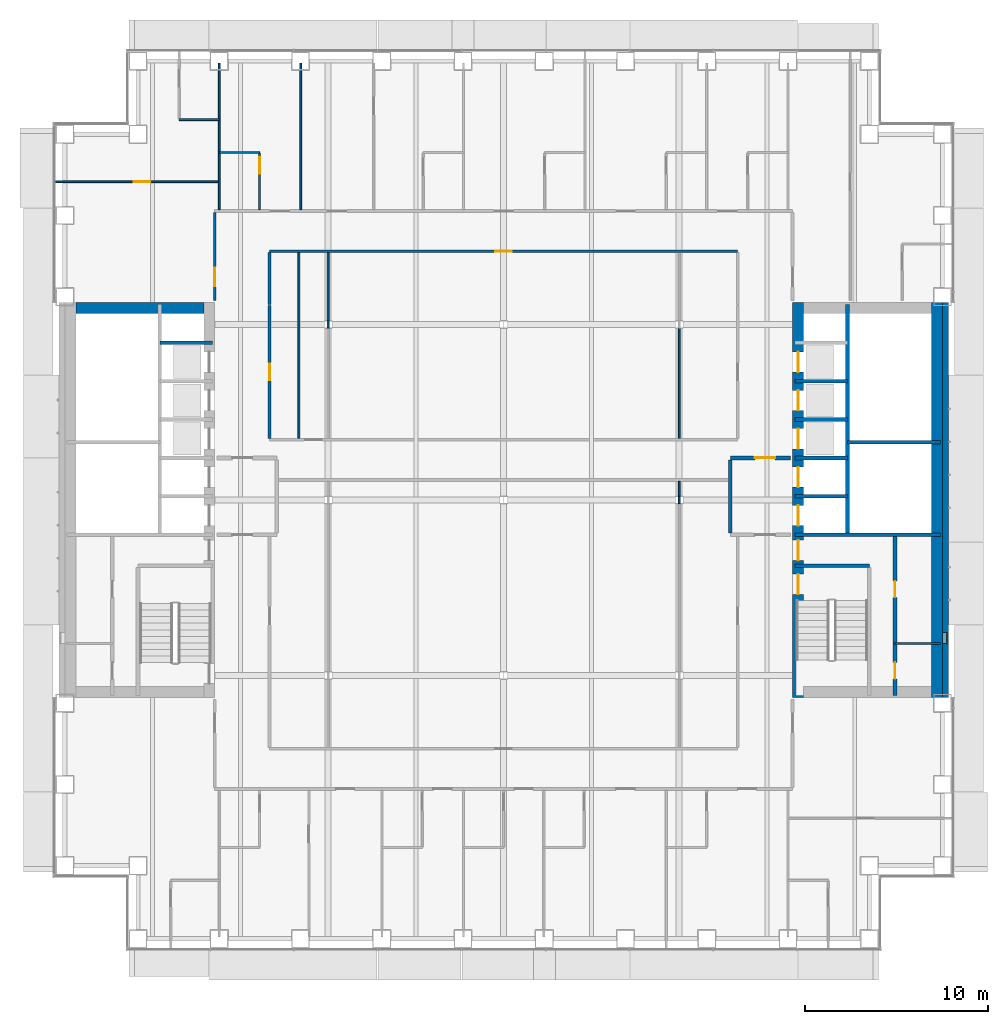
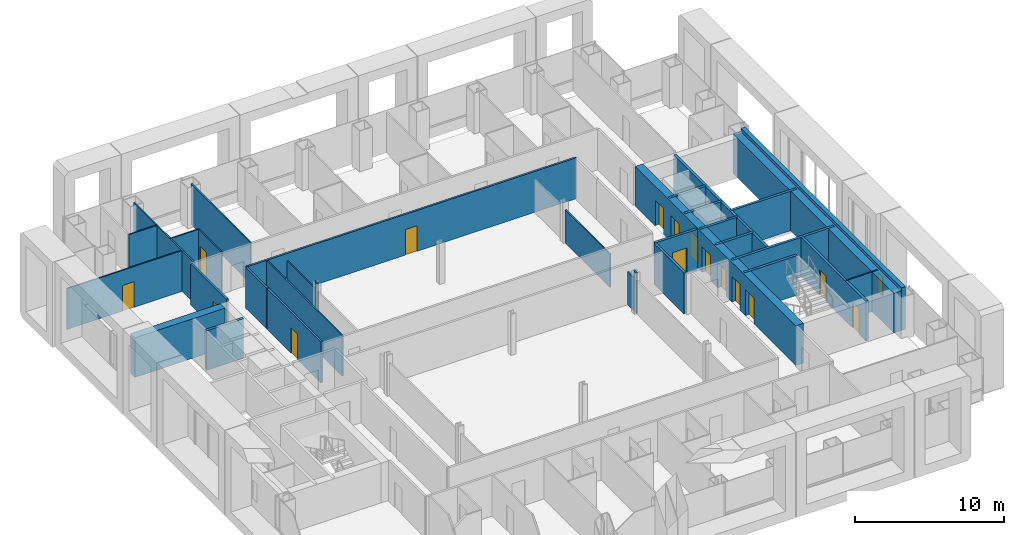
# One storey, part 17 of 25: 33 walls, 15 doors, 1 window, 16 openings.
"""IFC4 building model written with IfcOpenShell, lengths in metres."""

from ifc_helpers import new_model, si_unit, direction, frame, frame_2d, origin, place, context, subcontext, project, spatial, rectangle, extrude, material, layer, layer_set, type_object, element, fill, save


model = new_model("IFC4")

# Units and contexts
model_context = context("Model", 3, precision=1e-05, world=origin(), true_north=direction((0.0, 1.0)))
body_context = subcontext(model_context, "Body", "Model", "MODEL_VIEW")
ifc_project = project(units=[si_unit("LENGTHUNIT", "METRE"), si_unit("AREAUNIT", "SQUARE_METRE"), si_unit("VOLUMEUNIT", "CUBIC_METRE"), si_unit("PLANEANGLEUNIT", "RADIAN"), si_unit("MASSUNIT", "GRAM", prefix="KILO")], contexts=[model_context])

# Site, building, storey
site_placement = place(None, origin())
site = spatial("IfcSite", under=ifc_project, at=site_placement, CompositionType="ELEMENT")
building_placement = place(site_placement, origin())
building = spatial("IfcBuilding", under=site, at=building_placement, Name="Cobrizo Arcos Hotel Tower", CompositionType="ELEMENT")
storey_placement = place(building_placement, frame((0.0, 0.0, 46.0)))
storey = spatial("IfcBuildingStorey", under=building, at=storey_placement, Name="L09", CompositionType="ELEMENT", Elevation=46.0)

# Wall, opening, door
ifc_material_1 = material(Name="Gypsum board partition")
ifc_layer_1 = layer(ifc_material_1, 0.14990234375)
ifc_layer_set_1 = layer_set([ifc_layer_1], Name="Corridor wall EI 60 150")
wall_type_1 = type_object("IfcWallType", Name="Corridor wall EI 60 150", PredefinedType="PARTITIONING", material=ifc_layer_set_1)
wall_1_placement = place(storey_placement, frame((-12.800048828125, 13.60009765625, 0.0), z_axis=(0.0, 0.0, 1.0), x_axis=(1.0, 0.0, 0.0)))
wall_1 = element("IfcWall", 1, at=wall_1_placement, inside=storey, type_object=wall_type_1, Name="Partition 035", PredefinedType="PARTITIONING", context=body_context, shape_type="SweptSolid", body=[
    extrude(rectangle(XDim=25.60009765625, YDim=0.14990234375, at=frame_2d((12.800048828125, 0.0))), origin(), (0.0, 0.0, 1.0), 3.35009765625),
])
opening_1_placement = place(wall_1_placement, frame((12.35009765625, 0.0, 0.0)))
opening_1 = element("IfcOpeningElement", 2, at=opening_1_placement, cuts=wall_1, Name="Opening RD-12", PredefinedType="OPENING", context=body_context, shape_type="SweptSolid", body=[
    extrude(rectangle(XDim=0.89990234375, YDim=2.10009765625, at=frame_2d((0.449951171875, 1.050048828125))), frame((0.0, 0.0869140625, 0.0), z_axis=(0.0, -1.0, 0.0), x_axis=(1.0, 0.0, 0.0)), (0.0, 0.0, 1.0), 0.173828125),
])
ifc_material_2 = material(Name="Timber door leaf", Category="wood")
door_type_1 = type_object("IfcDoorType", Name="Room door FD30 900x2100", OperationType="SINGLE_SWING_LEFT", PredefinedType="DOOR", material=ifc_material_2)
door_1_placement = place(opening_1_placement, origin())
door_1 = element("IfcDoor", 3, at=door_1_placement, inside=storey, type_object=door_type_1, Name="Door RD-12", OperationType="SINGLE_SWING_LEFT", OverallHeight=2.10009765625, OverallWidth=0.89990234375, PredefinedType="DOOR", context=body_context, shape_type="SweptSolid", body=[
    extrude(rectangle(XDim=0.89990234375, YDim=2.10009765625, at=frame_2d((0.449951171875, 1.050048828125))), frame((0.0, 0.02490234375, 0.0), z_axis=(0.0, -1.0, 0.0), x_axis=(1.0, 0.0, 0.0)), (0.0, 0.0, 1.0), 0.050048828125),
])
fill(opening_1, door_1)

wall_2_placement = place(storey_placement, frame((-15.800048828125, 10.919921875, 0.0), z_axis=(0.0, 0.0, 1.0), x_axis=(0.0, 1.0, 0.0)))
wall_2 = element("IfcWall", 4, at=wall_2_placement, inside=storey, type_object=wall_type_1, Name="Partition 051", PredefinedType="PARTITIONING", context=body_context, shape_type="SweptSolid", body=[
    extrude(rectangle(XDim=4.80517578125, YDim=0.14990234375, at=frame_2d((2.402587890625, 0.0))), origin(), (0.0, 0.0, 1.0), 3.35009765625),
])
opening_2_placement = place(wall_2_placement, frame((0.780029296875, 0.0, 0.0)))
opening_2 = element("IfcOpeningElement", 5, at=opening_2_placement, cuts=wall_2, Name="Opening GD-12", PredefinedType="OPENING", context=body_context, shape_type="SweptSolid", body=[
    extrude(rectangle(XDim=1.0, YDim=2.10009765625, at=frame_2d((0.5, 1.050048828125))), frame((0.0, 0.0869140625, 0.0), z_axis=(0.0, -1.0, 0.0), x_axis=(1.0, 0.0, 0.0)), (0.0, 0.0, 1.0), 0.173828125),
])
door_type_2 = type_object("IfcDoorType", Name="Guest room door FD30S 1000x2100", OperationType="SINGLE_SWING_LEFT", PredefinedType="DOOR", material=ifc_material_2)
door_2_placement = place(opening_2_placement, origin())
door_2 = element("IfcDoor", 6, at=door_2_placement, inside=storey, type_object=door_type_2, Name="Door GD-12", OperationType="SINGLE_SWING_RIGHT", OverallHeight=2.10009765625, OverallWidth=1.0, PredefinedType="DOOR", context=body_context, shape_type="SweptSolid", body=[
    extrude(rectangle(XDim=1.0, YDim=2.10009765625, at=frame_2d((0.5, 1.050048828125))), frame((0.0, 0.02490234375, 0.0), z_axis=(0.0, -1.0, 0.0), x_axis=(1.0, 0.0, 0.0)), (0.0, 0.0, 1.0), 0.050048828125),
])
fill(opening_2, door_2)

wall_3_placement = place(storey_placement, frame((-12.800048828125, 3.375, 0.0), z_axis=(0.0, 0.0, 1.0), x_axis=(0.0, 1.0, 0.0)))
wall_3 = element("IfcWall", 7, at=wall_3_placement, inside=storey, type_object=wall_type_1, Name="Partition 057", PredefinedType="PARTITIONING", context=body_context, shape_type="SweptSolid", body=[
    extrude(rectangle(XDim=7.27490234375, YDim=0.14990234375, at=frame_2d((3.637451171875, 0.0))), origin(), (0.0, 0.0, 1.0), 3.35009765625),
])
opening_3_placement = place(wall_3_placement, frame((3.175048828125, 0.0, 0.0)))
opening_3 = element("IfcOpeningElement", 8, at=opening_3_placement, cuts=wall_3, Name="Opening ED-16", PredefinedType="OPENING", context=body_context, shape_type="SweptSolid", body=[
    extrude(rectangle(XDim=0.89990234375, YDim=2.10009765625, at=frame_2d((0.449951171875, 1.050048828125))), frame((0.0, 0.0869140625, 0.0), z_axis=(0.0, -1.0, 0.0), x_axis=(1.0, 0.0, 0.0)), (0.0, 0.0, 1.0), 0.173828125),
])
door_type_3 = type_object("IfcDoorType", Name="En-suite door 900x2100", OperationType="SINGLE_SWING_LEFT", PredefinedType="DOOR", material=ifc_material_2)
door_3_placement = place(opening_3_placement, origin())
door_3 = element("IfcDoor", 9, at=door_3_placement, inside=storey, type_object=door_type_3, Name="Door ED-16", OperationType="SINGLE_SWING_RIGHT", OverallHeight=2.10009765625, OverallWidth=0.89990234375, PredefinedType="DOOR", context=body_context, shape_type="SweptSolid", body=[
    extrude(rectangle(XDim=0.89990234375, YDim=2.10009765625, at=frame_2d((0.449951171875, 1.050048828125))), frame((0.0, 0.02490234375, 0.0), z_axis=(0.0, -1.0, 0.0), x_axis=(1.0, 0.0, 0.0)), (0.0, 0.0, 1.0), 0.050048828125),
])
fill(opening_3, door_3)

# Wall
wall_4_placement = place(storey_placement, frame((-12.800048828125, 10.699951171875, 0.0), z_axis=(0.0, 0.0, 1.0), x_axis=(0.0, 1.0, 0.0)))
element("IfcWall", 10, at=wall_4_placement, inside=storey, type_object=wall_type_1, Name="Partition 058", PredefinedType="PARTITIONING", context=body_context, shape_type="SweptSolid", body=[
    extrude(rectangle(XDim=2.824951171875, YDim=0.14990234375, at=frame_2d((1.41259765625, 0.0))), origin(), (0.0, 0.0, 1.0), 3.35009765625),
])

# Wall, opening, window
ifc_material_3 = material(Name="Aluminium composite panel pale metal", Category="aluminium")
ifc_layer_2 = layer(ifc_material_3, 0.324951171875)
ifc_layer_set_2 = layer_set([ifc_layer_2], Name="EW-1 insulated panel wall 325")
wall_type_2 = type_object("IfcWallType", Name="EW-1 insulated panel wall 325", PredefinedType="SOLIDWALL", material=ifc_layer_set_2)
wall_5_placement = place(storey_placement, frame((24.16259765625, -10.800048828125, 0.0), z_axis=(0.0, 0.0, 1.0), x_axis=(0.0, 1.0, 0.0)))
wall_5 = element("IfcWall", 11, at=wall_5_placement, inside=storey, type_object=wall_type_2, Name="Core face wall L09 E", PredefinedType="SOLIDWALL", context=body_context, shape_type="SweptSolid", body=[
    extrude(rectangle(XDim=21.60009765625, YDim=0.324951171875, at=frame_2d((10.800048828125, 0.0))), origin(), (0.0, 0.0, 1.0), 3.5),
])
opening_4_placement = place(wall_5_placement, frame((2.949951171875, 0.0, 1.0)))
opening_4 = element("IfcOpeningElement", 12, at=opening_4_placement, cuts=wall_5, Name="Opening W-13", PredefinedType="OPENING", context=body_context, shape_type="SweptSolid", body=[
    extrude(rectangle(XDim=0.60009765625, YDim=1.5, at=frame_2d((0.300048828125, 0.75))), frame((0.0, 0.174560546875, 0.0), z_axis=(0.0, -1.0, 0.0), x_axis=(1.0, 0.0, 0.0)), (0.0, 0.0, 1.0), 0.348876953125),
])
ifc_material_4 = material(Name="Aluminium 6063-T6 and clear laminated glass", Category="aluminium")
window_type = type_object("IfcWindowType", Name="W-C1 core stair slot window 600x1500", PartitioningType="SINGLE_PANEL", PredefinedType="WINDOW", material=ifc_material_4)
window_placement = place(opening_4_placement, origin())
window = element("IfcWindow", 13, at=window_placement, inside=storey, type_object=window_type, Name="Core face wall L09 E window W-13", OverallHeight=1.5, OverallWidth=0.60009765625, PartitioningType="SINGLE_PANEL", PredefinedType="WINDOW", context=body_context, shape_type="SweptSolid", body=[
    extrude(rectangle(XDim=0.60009765625, YDim=1.5, at=frame_2d((0.300048828125, 0.75))), frame((0.0, -0.072509765625, 0.0), z_axis=(0.0, -1.0, 0.0), x_axis=(1.0, 0.0, 0.0)), (0.0, 0.0, 1.0), 0.06005859375),
])
fill(opening_4, window)

# Wall
ifc_layer_3 = layer(ifc_material_1, 0.10009765625)
ifc_layer_set_3 = layer_set([ifc_layer_3], Name="Partition EI 30 100")
wall_type_3 = type_object("IfcWallType", Name="Partition EI 30 100", PredefinedType="PARTITIONING", material=ifc_layer_set_3)
wall_6_placement = place(storey_placement, frame((21.39990234375, -7.85009765625, 0.0), z_axis=(0.0, 0.0, 1.0), x_axis=(1.0, 0.0, 0.0)))
element("IfcWall", 14, at=wall_6_placement, inside=storey, type_object=wall_type_3, Name="Partition 012", PredefinedType="PARTITIONING", context=body_context, shape_type="SweptSolid", body=[
    extrude(rectangle(XDim=2.47998046875, YDim=0.10009765625, at=frame_2d((1.239990234375, 0.0))), origin(), (0.0, 0.0, 1.0), 3.25),
])

# Wall, opening, door
wall_7_placement = place(storey_placement, frame((-24.530029296875, 17.39990234375, 0.0), z_axis=(0.0, 0.0, 1.0), x_axis=(1.0, 0.0, 0.0)))
wall_7 = element("IfcWall", 15, at=wall_7_placement, inside=storey, type_object=wall_type_3, Name="Partition 038", PredefinedType="PARTITIONING", context=body_context, shape_type="SweptSolid", body=[
    extrude(rectangle(XDim=8.97998046875, YDim=0.10009765625, at=frame_2d((4.489990234375, 0.0))), origin(), (0.0, 0.0, 1.0), 3.35009765625),
])
opening_5_placement = place(wall_7_placement, frame((4.302001953125, 0.0, 0.0)))
opening_5 = element("IfcOpeningElement", 16, at=opening_5_placement, cuts=wall_7, Name="Opening RD-06", PredefinedType="OPENING", context=body_context, shape_type="SweptSolid", body=[
    extrude(rectangle(XDim=0.89990234375, YDim=2.10009765625, at=frame_2d((0.449951171875, 1.050048828125))), frame((0.0, 0.06201171875, 0.0), z_axis=(0.0, -1.0, 0.0), x_axis=(1.0, 0.0, 0.0)), (0.0, 0.0, 1.0), 0.1240234375),
])
door_4_placement = place(opening_5_placement, origin())
door_4 = element("IfcDoor", 17, at=door_4_placement, inside=storey, type_object=door_type_1, Name="Door RD-06", OperationType="SINGLE_SWING_LEFT", OverallHeight=2.10009765625, OverallWidth=0.89990234375, PredefinedType="DOOR", context=body_context, shape_type="SweptSolid", body=[
    extrude(rectangle(XDim=0.89990234375, YDim=2.10009765625, at=frame_2d((0.449951171875, 1.050048828125))), frame((0.0, 0.02490234375, 0.0), z_axis=(0.0, -1.0, 0.0), x_axis=(1.0, 0.0, 0.0)), (0.0, 0.0, 1.0), 0.050048828125),
])
fill(opening_5, door_4)

# Walls
for number, where, z_axis, x_axis, name in (
    (18, (-15.550048828125, 19.0, 0.0), (0.0, 0.0, 1.0), (1.0, 0.0, 0.0), "Partition 039"),
    (19, (-17.75, 20.800048828125, 0.0), (0.0, 0.0, 1.0), (1.0, 0.0, 0.0), "Partition 044"),
):
    element("IfcWall", number, at=place(storey_placement, frame(where, z_axis=z_axis, x_axis=x_axis)), inside=storey, type_object=wall_type_3, Name=name, PredefinedType="PARTITIONING", context=body_context, shape_type="SweptSolid", body=[
        extrude(rectangle(XDim=2.199951171875, YDim=0.10009765625, at=frame_2d((1.10009765625, 0.0))), origin(), (0.0, 0.0, 1.0), 3.35009765625),
    ])
wall_8_placement = place(storey_placement, frame((-15.550048828125, 15.875, 0.0), z_axis=(0.0, 0.0, 1.0), x_axis=(0.0, 1.0, 0.0)))
element("IfcWall", 20, at=wall_8_placement, inside=storey, type_object=wall_type_3, Name="Partition 053", PredefinedType="PARTITIONING", context=body_context, shape_type="SweptSolid", body=[
    extrude(rectangle(XDim=8.0048828125, YDim=0.10009765625, at=frame_2d((4.00244140625, 0.0))), origin(), (0.0, 0.0, 1.0), 3.35009765625),
])

# Wall, opening, door
wall_9_placement = place(storey_placement, frame((-13.35009765625, 15.875, 0.0), z_axis=(0.0, 0.0, 1.0), x_axis=(0.0, 1.0, 0.0)))
wall_9 = element("IfcWall", 21, at=wall_9_placement, inside=storey, type_object=wall_type_3, Name="Partition 055", PredefinedType="PARTITIONING", context=body_context, shape_type="SweptSolid", body=[
    extrude(rectangle(XDim=3.074951171875, YDim=0.10009765625, at=frame_2d((1.53759765625, 0.0))), origin(), (0.0, 0.0, 1.0), 3.35009765625),
])
opening_6_placement = place(wall_9_placement, frame((1.970947265625, 0.0, 0.0)))
opening_6 = element("IfcOpeningElement", 22, at=opening_6_placement, cuts=wall_9, Name="Opening ED-02", PredefinedType="OPENING", context=body_context, shape_type="SweptSolid", body=[
    extrude(rectangle(XDim=0.89990234375, YDim=2.10009765625, at=frame_2d((0.449951171875, 1.050048828125))), frame((0.0, 0.06201171875, 0.0), z_axis=(0.0, -1.0, 0.0), x_axis=(1.0, 0.0, 0.0)), (0.0, 0.0, 1.0), 0.1240234375),
])
door_5_placement = place(opening_6_placement, origin())
door_5 = element("IfcDoor", 23, at=door_5_placement, inside=storey, type_object=door_type_3, Name="Door ED-02", OperationType="SINGLE_SWING_LEFT", OverallHeight=2.10009765625, OverallWidth=0.89990234375, PredefinedType="DOOR", context=body_context, shape_type="SweptSolid", body=[
    extrude(rectangle(XDim=0.89990234375, YDim=2.10009765625, at=frame_2d((0.449951171875, 1.050048828125))), frame((0.0, 0.02490234375, 0.0), z_axis=(0.0, -1.0, 0.0), x_axis=(1.0, 0.0, 0.0)), (0.0, 0.0, 1.0), 0.050048828125),
])
fill(opening_6, door_5)

# Walls
wall_10_placement = place(storey_placement, frame((-11.199951171875, 3.375, 0.0), z_axis=(0.0, 0.0, 1.0), x_axis=(0.0, 1.0, 0.0)))
element("IfcWall", 24, at=wall_10_placement, inside=storey, type_object=wall_type_3, Name="Partition 060", PredefinedType="PARTITIONING", context=body_context, shape_type="SweptSolid", body=[
    extrude(rectangle(XDim=10.14990234375, YDim=0.10009765625, at=frame_2d((5.074951171875, 0.0))), origin(), (0.0, 0.0, 1.0), 3.35009765625),
])
wall_11_placement = place(storey_placement, frame((-11.10009765625, 15.875, 0.0), z_axis=(0.0, 0.0, 1.0), x_axis=(0.0, 1.0, 0.0)))
element("IfcWall", 25, at=wall_11_placement, inside=storey, type_object=wall_type_3, Name="Partition 061", PredefinedType="PARTITIONING", context=body_context, shape_type="SweptSolid", body=[
    extrude(rectangle(XDim=8.0048828125, YDim=0.10009765625, at=frame_2d((4.00244140625, 0.0))), origin(), (0.0, 0.0, 1.0), 3.35009765625),
])
wall_12_placement = place(storey_placement, frame((-9.60009765625, 9.39599609375, 0.0), z_axis=(0.0, 0.0, 1.0), x_axis=(0.0, 1.0, 0.0)))
element("IfcWall", 26, at=wall_12_placement, inside=storey, type_object=wall_type_3, Name="Partition 069", PredefinedType="PARTITIONING", context=body_context, shape_type="SweptSolid", body=[
    extrude(rectangle(XDim=0.407958984375, YDim=0.10009765625, at=frame_2d((0.2041015625, 0.0))), origin(), (0.0, 0.0, 1.0), 3.35009765625),
])
wall_13_placement = place(storey_placement, frame((-9.60009765625, 9.803955078125, 0.0), z_axis=(0.0, 0.0, 1.0), x_axis=(0.0, 1.0, 0.0)))
element("IfcWall", 27, at=wall_13_placement, inside=storey, type_object=wall_type_3, Name="Partition 070", PredefinedType="PARTITIONING", context=body_context, shape_type="SweptSolid", body=[
    extrude(rectangle(XDim=3.720947265625, YDim=0.10009765625, at=frame_2d((1.8603515625, 0.0))), origin(), (0.0, 0.0, 1.0), 2.72802734375),
])
wall_14_placement = place(storey_placement, frame((9.60009765625, -0.2041015625, 0.0), z_axis=(0.0, 0.0, 1.0), x_axis=(0.0, 1.0, 0.0)))
element("IfcWall", 28, at=wall_14_placement, inside=storey, type_object=wall_type_3, Name="Partition 087", PredefinedType="PARTITIONING", context=body_context, shape_type="SweptSolid", body=[
    extrude(rectangle(XDim=0.408203125, YDim=0.10009765625, at=frame_2d((0.2041015625, 0.0))), origin(), (0.0, 0.0, 1.0), 3.35009765625),
])
wall_15_placement = place(storey_placement, frame((9.60009765625, 0.2041015625, 0.0), z_axis=(0.0, 0.0, 1.0), x_axis=(0.0, 1.0, 0.0)))
element("IfcWall", 29, at=wall_15_placement, inside=storey, type_object=wall_type_3, Name="Partition 088", PredefinedType="PARTITIONING", context=body_context, shape_type="SweptSolid", body=[
    extrude(rectangle(XDim=0.82080078125, YDim=0.10009765625, at=frame_2d((0.410400390625, 0.0))), origin(), (0.0, 0.0, 1.0), 2.72802734375),
])
wall_16_placement = place(storey_placement, frame((9.60009765625, 3.375, 0.0), z_axis=(0.0, 0.0, 1.0), x_axis=(0.0, 1.0, 0.0)))
element("IfcWall", 30, at=wall_16_placement, inside=storey, type_object=wall_type_3, Name="Partition 089", PredefinedType="PARTITIONING", context=body_context, shape_type="SweptSolid", body=[
    extrude(rectangle(XDim=6.02099609375, YDim=0.10009765625, at=frame_2d((3.010498046875, 0.0))), origin(), (0.0, 0.0, 1.0), 2.72802734375),
])

# Wall, openings, doors
ifc_material_5 = material(Name="Concrete f'c 60 MPa", Category="concrete")
ifc_layer_4 = layer(ifc_material_5, 0.60009765625)
ifc_layer_set_4 = layer_set([ifc_layer_4], Name="RC core wall 600 f'c 60")
wall_type_4 = type_object("IfcWallType", Name="RC core wall 600 f'c 60", PredefinedType="SHEAR", material=ifc_layer_set_4)
wall_17_placement = place(storey_placement, frame((16.10009765625, -10.800048828125, 0.0), z_axis=(0.0, 0.0, 1.0), x_axis=(0.0, 1.0, 0.0)))
wall_17 = element("IfcWall", 31, at=wall_17_placement, inside=storey, type_object=wall_type_4, Name="Core wall CW1, east core, inner face, L09", PredefinedType="SHEAR", context=body_context, shape_type="SweptSolid", body=[
    extrude(rectangle(XDim=21.60009765625, YDim=0.60009765625, at=frame_2d((10.800048828125, 0.0))), origin(), (0.0, 0.0, 1.0), 3.25),
])
opening_7_placement = place(wall_17_placement, frame((9.39990234375, 0.0, 0.0)))
opening_7 = element("IfcOpeningElement", 32, at=opening_7_placement, cuts=wall_17, Name="Opening LD-06", PredefinedType="OPENING", context=body_context, shape_type="SweptSolid", body=[
    extrude(rectangle(XDim=1.10009765625, YDim=2.10009765625, at=frame_2d((0.550048828125, 1.050048828125))), frame((0.0, 0.31201171875, 0.0), z_axis=(0.0, -1.0, 0.0), x_axis=(1.0, 0.0, 0.0)), (0.0, 0.0, 1.0), 0.6240234375),
])
opening_8_placement = place(wall_17_placement, frame((11.5, 0.0, 0.0)))
opening_8 = element("IfcOpeningElement", 33, at=opening_8_placement, cuts=wall_17, Name="Opening LD-07", PredefinedType="OPENING", context=body_context, shape_type="SweptSolid", body=[
    extrude(rectangle(XDim=1.10009765625, YDim=2.10009765625, at=frame_2d((0.550048828125, 1.050048828125))), frame((0.0, 0.31201171875, 0.0), z_axis=(0.0, -1.0, 0.0), x_axis=(1.0, 0.0, 0.0)), (0.0, 0.0, 1.0), 0.6240234375),
])
opening_9_placement = place(wall_17_placement, frame((13.60009765625, 0.0, 0.0)))
opening_9 = element("IfcOpeningElement", 34, at=opening_9_placement, cuts=wall_17, Name="Opening LD-08", PredefinedType="OPENING", context=body_context, shape_type="SweptSolid", body=[
    extrude(rectangle(XDim=1.10009765625, YDim=2.10009765625, at=frame_2d((0.550048828125, 1.050048828125))), frame((0.0, 0.31201171875, 0.0), z_axis=(0.0, -1.0, 0.0), x_axis=(1.0, 0.0, 0.0)), (0.0, 0.0, 1.0), 0.6240234375),
])
opening_10_placement = place(wall_17_placement, frame((15.699951171875, 0.0, 0.0)))
opening_10 = element("IfcOpeningElement", 35, at=opening_10_placement, cuts=wall_17, Name="Opening LD-09", PredefinedType="OPENING", context=body_context, shape_type="SweptSolid", body=[
    extrude(rectangle(XDim=1.10009765625, YDim=2.10009765625, at=frame_2d((0.550048828125, 1.050048828125))), frame((0.0, 0.31201171875, 0.0), z_axis=(0.0, -1.0, 0.0), x_axis=(1.0, 0.0, 0.0)), (0.0, 0.0, 1.0), 0.6240234375),
])
opening_11_placement = place(wall_17_placement, frame((17.800048828125, 0.0, 0.0)))
opening_11 = element("IfcOpeningElement", 36, at=opening_11_placement, cuts=wall_17, Name="Opening LD-10", PredefinedType="OPENING", context=body_context, shape_type="SweptSolid", body=[
    extrude(rectangle(XDim=1.10009765625, YDim=2.10009765625, at=frame_2d((0.550048828125, 1.050048828125))), frame((0.0, 0.31201171875, 0.0), z_axis=(0.0, -1.0, 0.0), x_axis=(1.0, 0.0, 0.0)), (0.0, 0.0, 1.0), 0.6240234375),
])
opening_12_placement = place(wall_17_placement, frame((5.64208984375, 0.0, 0.0)))
opening_12 = element("IfcOpeningElement", 37, at=opening_12_placement, cuts=wall_17, Name="Opening SD-02", PredefinedType="OPENING", context=body_context, shape_type="SweptSolid", body=[
    extrude(rectangle(XDim=1.10009765625, YDim=2.10009765625, at=frame_2d((0.550048828125, 1.050048828125))), frame((0.0, 0.31201171875, 0.0), z_axis=(0.0, -1.0, 0.0), x_axis=(1.0, 0.0, 0.0)), (0.0, 0.0, 1.0), 0.6240234375),
])
opening_13_placement = place(wall_17_placement, frame((7.5, 0.0, 0.0)))
opening_13 = element("IfcOpeningElement", 38, at=opening_13_placement, cuts=wall_17, Name="Opening FD-04", PredefinedType="OPENING", context=body_context, shape_type="SweptSolid", body=[
    extrude(rectangle(XDim=1.10009765625, YDim=2.10009765625, at=frame_2d((0.550048828125, 1.050048828125))), frame((0.0, 0.31201171875, 0.0), z_axis=(0.0, -1.0, 0.0), x_axis=(1.0, 0.0, 0.0)), (0.0, 0.0, 1.0), 0.6240234375),
])
ifc_material_6 = material(Name="Steel door leaf", Category="steel")
door_type_4 = type_object("IfcDoorType", Name="Fire door FD60 1100x2100", OperationType="SINGLE_SWING_LEFT", PredefinedType="DOOR", material=ifc_material_6)
door_6_placement = place(opening_13_placement, origin())
door_6 = element("IfcDoor", 39, at=door_6_placement, inside=storey, type_object=door_type_4, Name="Door FD-04", OperationType="SINGLE_SWING_RIGHT", OverallHeight=2.10009765625, OverallWidth=1.10009765625, PredefinedType="DOOR", context=body_context, shape_type="SweptSolid", body=[
    extrude(rectangle(XDim=1.10009765625, YDim=2.10009765625, at=frame_2d((0.550048828125, 1.050048828125))), frame((0.0, 0.02490234375, 0.0), z_axis=(0.0, -1.0, 0.0), x_axis=(1.0, 0.0, 0.0)), (0.0, 0.0, 1.0), 0.050048828125),
])
fill(opening_13, door_6)
door_type_5 = type_object("IfcDoorType", Name="Lift landing door 1100x2100", OperationType="SLIDING_TO_LEFT", PredefinedType="DOOR", material=ifc_material_6)
door_7_placement = place(opening_7_placement, origin())
door_7 = element("IfcDoor", 40, at=door_7_placement, inside=storey, type_object=door_type_5, Name="Lift landing door LD-06", OperationType="SLIDING_TO_LEFT", OverallHeight=2.10009765625, OverallWidth=1.10009765625, PredefinedType="DOOR", context=body_context, shape_type="SweptSolid", body=[
    extrude(rectangle(XDim=1.10009765625, YDim=2.10009765625, at=frame_2d((0.550048828125, 1.050048828125))), frame((0.0, 0.02490234375, 0.0), z_axis=(0.0, -1.0, 0.0), x_axis=(1.0, 0.0, 0.0)), (0.0, 0.0, 1.0), 0.050048828125),
])
fill(opening_7, door_7)
door_8_placement = place(opening_8_placement, origin())
door_8 = element("IfcDoor", 41, at=door_8_placement, inside=storey, type_object=door_type_5, Name="Lift landing door LD-07", OperationType="SLIDING_TO_LEFT", OverallHeight=2.10009765625, OverallWidth=1.10009765625, PredefinedType="DOOR", context=body_context, shape_type="SweptSolid", body=[
    extrude(rectangle(XDim=1.10009765625, YDim=2.10009765625, at=frame_2d((0.550048828125, 1.050048828125))), frame((0.0, 0.02490234375, 0.0), z_axis=(0.0, -1.0, 0.0), x_axis=(1.0, 0.0, 0.0)), (0.0, 0.0, 1.0), 0.050048828125),
])
fill(opening_8, door_8)
door_9_placement = place(opening_9_placement, origin())
door_9 = element("IfcDoor", 42, at=door_9_placement, inside=storey, type_object=door_type_5, Name="Lift landing door LD-08", OperationType="SLIDING_TO_LEFT", OverallHeight=2.10009765625, OverallWidth=1.10009765625, PredefinedType="DOOR", context=body_context, shape_type="SweptSolid", body=[
    extrude(rectangle(XDim=1.10009765625, YDim=2.10009765625, at=frame_2d((0.550048828125, 1.050048828125))), frame((0.0, 0.02490234375, 0.0), z_axis=(0.0, -1.0, 0.0), x_axis=(1.0, 0.0, 0.0)), (0.0, 0.0, 1.0), 0.050048828125),
])
fill(opening_9, door_9)
door_10_placement = place(opening_10_placement, origin())
door_10 = element("IfcDoor", 43, at=door_10_placement, inside=storey, type_object=door_type_5, Name="Lift landing door LD-09", OperationType="SLIDING_TO_LEFT", OverallHeight=2.10009765625, OverallWidth=1.10009765625, PredefinedType="DOOR", context=body_context, shape_type="SweptSolid", body=[
    extrude(rectangle(XDim=1.10009765625, YDim=2.10009765625, at=frame_2d((0.550048828125, 1.050048828125))), frame((0.0, 0.02490234375, 0.0), z_axis=(0.0, -1.0, 0.0), x_axis=(1.0, 0.0, 0.0)), (0.0, 0.0, 1.0), 0.050048828125),
])
fill(opening_10, door_10)
door_11_placement = place(opening_11_placement, origin())
door_11 = element("IfcDoor", 44, at=door_11_placement, inside=storey, type_object=door_type_5, Name="Lift landing door LD-10", OperationType="SLIDING_TO_LEFT", OverallHeight=2.10009765625, OverallWidth=1.10009765625, PredefinedType="DOOR", context=body_context, shape_type="SweptSolid", body=[
    extrude(rectangle(XDim=1.10009765625, YDim=2.10009765625, at=frame_2d((0.550048828125, 1.050048828125))), frame((0.0, 0.02490234375, 0.0), z_axis=(0.0, -1.0, 0.0), x_axis=(1.0, 0.0, 0.0)), (0.0, 0.0, 1.0), 0.050048828125),
])
fill(opening_11, door_11)
door_type_6 = type_object("IfcDoorType", Name="Stair door FD60S 1100x2100", OperationType="SINGLE_SWING_LEFT", PredefinedType="DOOR", material=ifc_material_6)
door_12_placement = place(opening_12_placement, origin())
door_12 = element("IfcDoor", 45, at=door_12_placement, inside=storey, type_object=door_type_6, Name="Door SD-02", OperationType="SINGLE_SWING_LEFT", OverallHeight=2.10009765625, OverallWidth=1.10009765625, PredefinedType="DOOR", context=body_context, shape_type="SweptSolid", body=[
    extrude(rectangle(XDim=1.10009765625, YDim=2.10009765625, at=frame_2d((0.550048828125, 1.050048828125))), frame((0.0, 0.02490234375, 0.0), z_axis=(0.0, -1.0, 0.0), x_axis=(1.0, 0.0, 0.0)), (0.0, 0.0, 1.0), 0.050048828125),
])
fill(opening_12, door_12)

# Walls
wall_18_placement = place(storey_placement, frame((23.699951171875, -10.800048828125, 0.0), z_axis=(0.0, 0.0, 1.0), x_axis=(0.0, 1.0, 0.0)))
element("IfcWall", 46, at=wall_18_placement, inside=storey, type_object=wall_type_4, Name="Core wall CW1, east core, outer face, L09", PredefinedType="SHEAR", context=body_context, shape_type="SweptSolid", body=[
    extrude(rectangle(XDim=21.60009765625, YDim=0.60009765625, at=frame_2d((10.800048828125, 0.0))), origin(), (0.0, 0.0, 1.0), 3.25),
])
wall_19_placement = place(storey_placement, frame((-23.39990234375, 10.5, 0.0), z_axis=(0.0, 0.0, 1.0), x_axis=(1.0, 0.0, 0.0)))
element("IfcWall", 47, at=wall_19_placement, inside=storey, type_object=wall_type_4, Name="Core wall CW1, west core, north end, L09", PredefinedType="SHEAR", context=body_context, shape_type="SweptSolid", body=[
    extrude(rectangle(XDim=7.0, YDim=0.60009765625, at=frame_2d((3.5, 0.0))), origin(), (0.0, 0.0, 1.0), 3.25),
])
ifc_layer_5 = layer(ifc_material_1, 0.199951171875)
ifc_layer_set_5 = layer_set([ifc_layer_5], Name="Shaft wall EI 120 200")
wall_type_5 = type_object("IfcWallType", Name="Shaft wall EI 120 200", PredefinedType="PARTITIONING", material=ifc_layer_set_5)
wall_20_placement = place(storey_placement, frame((15.919921875, -1.89990234375, 0.0), z_axis=(0.0, 0.0, 1.0), x_axis=(1.0, 0.0, 0.0)))
element("IfcWall", 48, at=wall_20_placement, inside=storey, type_object=wall_type_5, Name="Partition 018", PredefinedType="PARTITIONING", context=body_context, shape_type="SweptSolid", body=[
    extrude(rectangle(XDim=7.9599609375, YDim=0.199951171875, at=frame_2d((3.97998046875, 0.0))), origin(), (0.0, 0.0, 1.0), 3.25),
])
wall_21_placement = place(storey_placement, frame((15.919921875, 0.199951171875, 0.0), z_axis=(0.0, 0.0, 1.0), x_axis=(1.0, 0.0, 0.0)))
element("IfcWall", 49, at=wall_21_placement, inside=storey, type_object=wall_type_5, Name="Partition 020", PredefinedType="PARTITIONING", context=body_context, shape_type="SweptSolid", body=[
    extrude(rectangle(XDim=2.880126953125, YDim=0.199951171875, at=frame_2d((1.43994140625, 0.0))), origin(), (0.0, 0.0, 1.0), 3.25),
])

# Wall, opening, door
wall_22_placement = place(storey_placement, frame((12.39990234375, 2.300048828125, 0.0), z_axis=(0.0, 0.0, 1.0), x_axis=(1.0, 0.0, 0.0)))
wall_22 = element("IfcWall", 50, at=wall_22_placement, inside=storey, type_object=wall_type_5, Name="Partition 024", PredefinedType="PARTITIONING", context=body_context, shape_type="SweptSolid", body=[
    extrude(rectangle(XDim=3.280029296875, YDim=0.199951171875, at=frame_2d((1.64013671875, 0.0))), origin(), (0.0, 0.0, 1.0), 3.35009765625),
])
opening_14_placement = place(wall_22_placement, frame((1.340087890625, 0.0, 0.0)))
opening_14 = element("IfcOpeningElement", 51, at=opening_14_placement, cuts=wall_22, Name="Opening FD-05", PredefinedType="OPENING", context=body_context, shape_type="SweptSolid", body=[
    extrude(rectangle(XDim=1.10009765625, YDim=2.10009765625, at=frame_2d((0.550048828125, 1.050048828125))), frame((0.0, 0.112060546875, 0.0), z_axis=(0.0, -1.0, 0.0), x_axis=(1.0, 0.0, 0.0)), (0.0, 0.0, 1.0), 0.223876953125),
])
door_13_placement = place(opening_14_placement, origin())
door_13 = element("IfcDoor", 52, at=door_13_placement, inside=storey, type_object=door_type_4, Name="Door FD-05", OperationType="SINGLE_SWING_LEFT", OverallHeight=2.10009765625, OverallWidth=1.10009765625, PredefinedType="DOOR", context=body_context, shape_type="SweptSolid", body=[
    extrude(rectangle(XDim=1.10009765625, YDim=2.10009765625, at=frame_2d((0.550048828125, 1.050048828125))), frame((0.0, 0.02490234375, 0.0), z_axis=(0.0, -1.0, 0.0), x_axis=(1.0, 0.0, 0.0)), (0.0, 0.0, 1.0), 0.050048828125),
])
fill(opening_14, door_13)

# Walls
wall_23_placement = place(storey_placement, frame((15.919921875, 2.300048828125, 0.0), z_axis=(0.0, 0.0, 1.0), x_axis=(1.0, 0.0, 0.0)))
element("IfcWall", 53, at=wall_23_placement, inside=storey, type_object=wall_type_5, Name="Partition 025", PredefinedType="PARTITIONING", context=body_context, shape_type="SweptSolid", body=[
    extrude(rectangle(XDim=2.880126953125, YDim=0.199951171875, at=frame_2d((1.43994140625, 0.0))), origin(), (0.0, 0.0, 1.0), 3.25),
])
wall_24_placement = place(storey_placement, frame((18.800048828125, 3.14990234375, 0.0), z_axis=(0.0, 0.0, 1.0), x_axis=(1.0, 0.0, 0.0)))
element("IfcWall", 54, at=wall_24_placement, inside=storey, type_object=wall_type_5, Name="Partition 027", PredefinedType="PARTITIONING", context=body_context, shape_type="SweptSolid", body=[
    extrude(rectangle(XDim=5.079833984375, YDim=0.199951171875, at=frame_2d((2.5400390625, 0.0))), origin(), (0.0, 0.0, 1.0), 3.25),
])
for number, where, z_axis, x_axis, name in (
    (55, (15.919921875, 4.39990234375, 0.0), (0.0, 0.0, 1.0), (1.0, 0.0, 0.0), "Partition 030"),
    (56, (15.919921875, 6.5, 0.0), (0.0, 0.0, 1.0), (1.0, 0.0, 0.0), "Partition 032"),
    (57, (-18.800048828125, 8.60009765625, 0.0), (0.0, 0.0, 1.0), (1.0, 0.0, 0.0), "Partition 033"),
):
    element("IfcWall", number, at=place(storey_placement, frame(where, z_axis=z_axis, x_axis=x_axis)), inside=storey, type_object=wall_type_5, Name=name, PredefinedType="PARTITIONING", context=body_context, shape_type="SweptSolid", body=[
        extrude(rectangle(XDim=2.880126953125, YDim=0.199951171875, at=frame_2d((1.43994140625, 0.0))), origin(), (0.0, 0.0, 1.0), 3.25),
    ])
wall_25_placement = place(storey_placement, frame((12.39990234375, -1.800048828125, 0.0), z_axis=(0.0, 0.0, 1.0), x_axis=(0.0, 1.0, 0.0)))
element("IfcWall", 58, at=wall_25_placement, inside=storey, type_object=wall_type_5, Name="Partition 094", PredefinedType="PARTITIONING", context=body_context, shape_type="SweptSolid", body=[
    extrude(rectangle(XDim=4.0, YDim=0.199951171875, at=frame_2d((2.0, 0.0))), origin(), (0.0, 0.0, 1.0), 3.35009765625),
])
wall_26_placement = place(storey_placement, frame((18.800048828125, -1.800048828125, 0.0), z_axis=(0.0, 0.0, 1.0), x_axis=(0.0, 1.0, 0.0)))
element("IfcWall", 59, at=wall_26_placement, inside=storey, type_object=wall_type_5, Name="Partition 104", PredefinedType="PARTITIONING", context=body_context, shape_type="SweptSolid", body=[
    extrude(rectangle(XDim=12.47998046875, YDim=0.199951171875, at=frame_2d((6.239990234375, 0.0))), origin(), (0.0, 0.0, 1.0), 3.25),
])

# Wall, openings, doors
wall_27_placement = place(storey_placement, frame((21.39990234375, -10.679931640625, 0.0), z_axis=(0.0, 0.0, 1.0), x_axis=(0.0, 1.0, 0.0)))
wall_27 = element("IfcWall", 60, at=wall_27_placement, inside=storey, type_object=wall_type_5, Name="Partition 107", PredefinedType="PARTITIONING", context=body_context, shape_type="SweptSolid", body=[
    extrude(rectangle(XDim=8.679931640625, YDim=0.199951171875, at=frame_2d((4.33984375, 0.0))), origin(), (0.0, 0.0, 1.0), 3.25),
])
opening_15_placement = place(wall_27_placement, frame((0.89892578125, 0.0, 0.0)))
opening_15 = element("IfcOpeningElement", 61, at=opening_15_placement, cuts=wall_27, Name="Opening RD-02", PredefinedType="OPENING", context=body_context, shape_type="SweptSolid", body=[
    extrude(rectangle(XDim=0.89990234375, YDim=2.10009765625, at=frame_2d((0.449951171875, 1.050048828125))), frame((0.0, 0.112060546875, 0.0), z_axis=(0.0, -1.0, 0.0), x_axis=(1.0, 0.0, 0.0)), (0.0, 0.0, 1.0), 0.223876953125),
])
opening_16_placement = place(wall_27_placement, frame((5.34912109375, 0.0, 0.0)))
opening_16 = element("IfcOpeningElement", 62, at=opening_16_placement, cuts=wall_27, Name="Opening RD-03", PredefinedType="OPENING", context=body_context, shape_type="SweptSolid", body=[
    extrude(rectangle(XDim=0.89990234375, YDim=2.10009765625, at=frame_2d((0.449951171875, 1.050048828125))), frame((0.0, 0.112060546875, 0.0), z_axis=(0.0, -1.0, 0.0), x_axis=(1.0, 0.0, 0.0)), (0.0, 0.0, 1.0), 0.223876953125),
])
door_14_placement = place(opening_15_placement, origin())
door_14 = element("IfcDoor", 63, at=door_14_placement, inside=storey, type_object=door_type_1, Name="Door RD-02", OperationType="SINGLE_SWING_LEFT", OverallHeight=2.10009765625, OverallWidth=0.89990234375, PredefinedType="DOOR", context=body_context, shape_type="SweptSolid", body=[
    extrude(rectangle(XDim=0.89990234375, YDim=2.10009765625, at=frame_2d((0.449951171875, 1.050048828125))), frame((0.0, 0.02490234375, 0.0), z_axis=(0.0, -1.0, 0.0), x_axis=(1.0, 0.0, 0.0)), (0.0, 0.0, 1.0), 0.050048828125),
])
fill(opening_15, door_14)
door_15_placement = place(opening_16_placement, origin())
door_15 = element("IfcDoor", 64, at=door_15_placement, inside=storey, type_object=door_type_1, Name="Door RD-03", OperationType="SINGLE_SWING_RIGHT", OverallHeight=2.10009765625, OverallWidth=0.89990234375, PredefinedType="DOOR", context=body_context, shape_type="SweptSolid", body=[
    extrude(rectangle(XDim=0.89990234375, YDim=2.10009765625, at=frame_2d((0.449951171875, 1.050048828125))), frame((0.0, 0.02490234375, 0.0), z_axis=(0.0, -1.0, 0.0), x_axis=(1.0, 0.0, 0.0)), (0.0, 0.0, 1.0), 0.050048828125),
])
fill(opening_16, door_15)

# Wall
ifc_material_7 = material(Name="Concrete f'c 40 MPa", Category="concrete")
ifc_layer_6 = layer(ifc_material_7, 0.199951171875)
ifc_layer_set_6 = layer_set([ifc_layer_6], Name="Stair shaft wall 200")
wall_type_6 = type_object("IfcWallType", Name="Stair shaft wall 200", PredefinedType="SHEAR", material=ifc_layer_set_6)
wall_28_placement = place(storey_placement, frame((15.919921875, -3.60009765625, 0.0), z_axis=(0.0, 0.0, 1.0), x_axis=(1.0, 0.0, 0.0)))
element("IfcWall", 65, at=wall_28_placement, inside=storey, type_object=wall_type_6, Name="Stair shaft wall E", PredefinedType="SHEAR", context=body_context, shape_type="SweptSolid", body=[
    extrude(rectangle(XDim=4.080078125, YDim=0.199951171875, at=frame_2d((2.0400390625, 0.0))), origin(), (0.0, 0.0, 1.0), 3.25),
])

save(model, "model.ifc")
